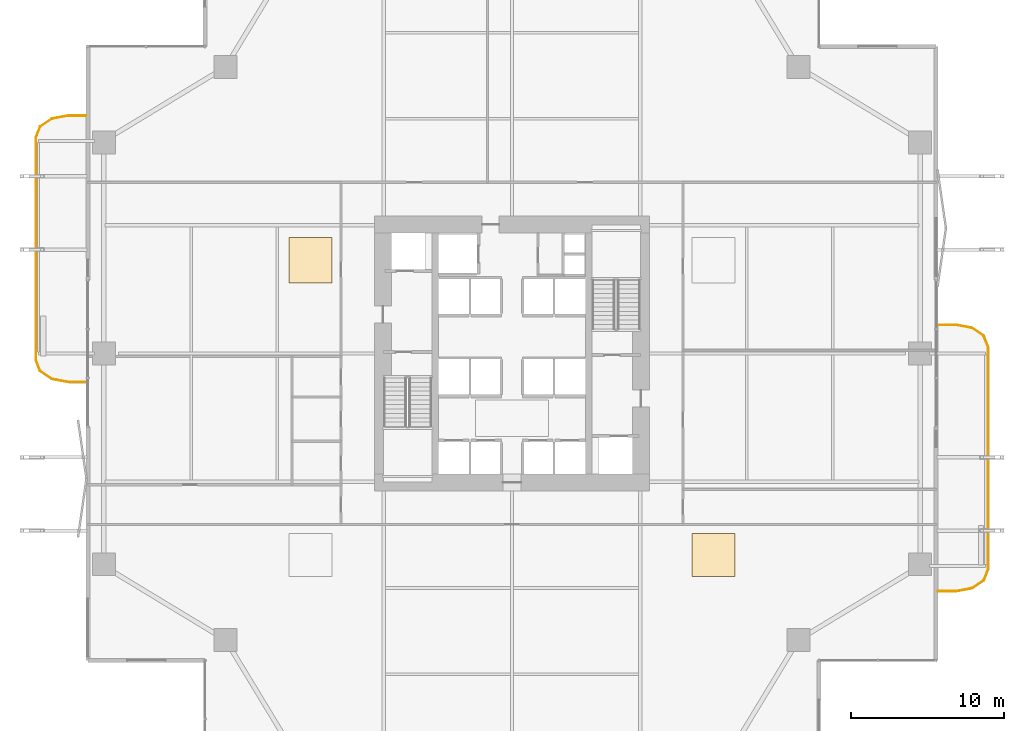
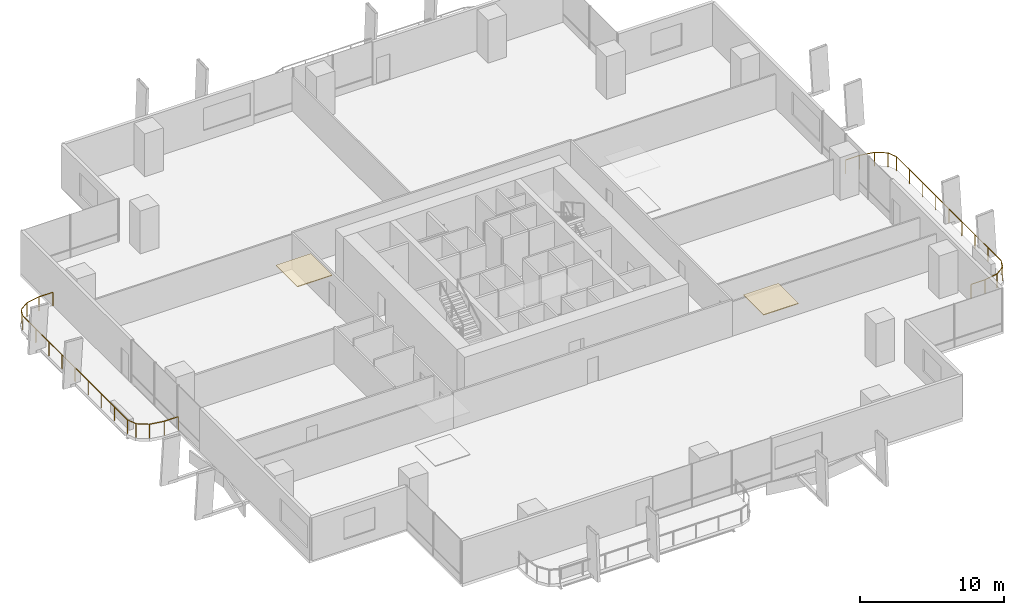
# One storey, part 29 of 30: 2 coverings, 2 railings.
"""IFC4 building model written with IfcOpenShell, lengths in metres."""

from ifc_helpers import new_model, si_unit, direction, frame, origin, origin_2d, place, context, subcontext, project, spatial, polyline, rectangle, outline, extrude, material, layer, layer_set, type_object, element, save


model = new_model("IFC4")

# Units and contexts
model_context = context("Model", 3, precision=1e-05, world=origin(), true_north=direction((0.0, 1.0)))
body_context = subcontext(model_context, "Body", "Model", "MODEL_VIEW")
ifc_project = project(units=[si_unit("LENGTHUNIT", "METRE"), si_unit("AREAUNIT", "SQUARE_METRE"), si_unit("VOLUMEUNIT", "CUBIC_METRE"), si_unit("PLANEANGLEUNIT", "RADIAN"), si_unit("MASSUNIT", "GRAM", prefix="KILO")], contexts=[model_context])

# Site, building, storey
site_placement = place(None, origin())
site = spatial("IfcSite", under=ifc_project, at=site_placement, CompositionType="ELEMENT")
building_placement = place(site_placement, origin())
building = spatial("IfcBuilding", under=site, at=building_placement, Name="Belovzor Exchange Tower", CompositionType="ELEMENT")
storey_placement = place(building_placement, frame((0.0, 0.0, 30.0)))
storey = spatial("IfcBuildingStorey", under=building, at=storey_placement, Name="L06", CompositionType="ELEMENT", Elevation=30.0)

# Railings
ifc_material_1 = material(Name="Stainless Steel and Laminated Safety Glass", Category="steel")
railing_type = type_object("IfcRailingType", Name="Laminated Glass & Stainless Steel Balcony Balustrade 1200", PredefinedType="BALUSTRADE", material=ifc_material_1)
railing_1_placement = place(storey_placement, frame((56.7099609375, 13.22998046875, 0.0)))
element("IfcRailing", 1, at=railing_1_placement, inside=storey, type_object=railing_type, Name="GR-1 Balcony Balustrade L06 East", PredefinedType="BALUSTRADE", context=body_context, shape_type="SweptSolid", body=[
    extrude(rectangle(XDim=0.048095703125, YDim=0.048095703125, at=origin_2d()), frame((0.0, 0.0, 1.17578125), z_axis=(1.0, 0.0, 0.0), x_axis=(0.0, 1.0, 0.0)), (0.0, 0.0, 1.0), 1.133056640625),
    extrude(rectangle(XDim=0.048095703125, YDim=0.048095703125, at=origin_2d()), frame((1.133056640625, 0.0, 1.17578125), z_axis=(0.983644145941, 0.180122719713, 0.0), x_axis=(-0.180122719713, 0.983644145941, 0.0)), (0.0, 0.0, 1.0), 1.09375),
    extrude(rectangle(XDim=0.048095703125, YDim=0.048095703125, at=origin_2d()), frame((2.208984375, 0.197021484375, 1.17578125), z_axis=(0.826614792125, 0.562768145367, 0.0), x_axis=(-0.562768145367, 0.826614792125, 0.0)), (0.0, 0.0, 1.0), 0.9326171875),
    extrude(rectangle(XDim=0.048095703125, YDim=0.048095703125, at=origin_2d()), frame((2.97998046875, 0.721923828125, 1.17578125), z_axis=(0.365504480807, 0.930809580156, 0.0), x_axis=(-0.930809580156, 0.365504480807, 0.0)), (0.0, 0.0, 1.0), 0.76611328125),
    extrude(rectangle(XDim=0.048095703125, YDim=0.048095703125, at=origin_2d()), frame((3.260009765625, 1.43505859375, 1.17578125), z_axis=(0.0, 1.0, 0.0), x_axis=(-1.0, 0.0, 0.0)), (0.0, 0.0, 1.0), 14.570068359375),
    extrude(rectangle(XDim=0.048095703125, YDim=0.048095703125, at=origin_2d()), frame((3.260009765625, 16.005126953125, 1.17578125), z_axis=(-0.365612923861, 0.930766990125, 0.0), x_axis=(-0.930766990125, -0.365612923861, 0.0)), (0.0, 0.0, 1.0), 0.765869140625),
    extrude(rectangle(XDim=0.048095703125, YDim=0.048095703125, at=origin_2d()), frame((2.97998046875, 16.718017578125, 1.17578125), z_axis=(-0.826614792125, 0.562768145367, 0.0), x_axis=(-0.562768145367, -0.826614792125, 0.0)), (0.0, 0.0, 1.0), 0.9326171875),
    extrude(rectangle(XDim=0.048095703125, YDim=0.048095703125, at=origin_2d()), frame((2.208984375, 17.242919921875, 1.17578125), z_axis=(-0.983644145941, 0.180122719713, 0.0), x_axis=(-0.180122719713, -0.983644145941, 0.0)), (0.0, 0.0, 1.0), 1.09375),
    extrude(rectangle(XDim=0.048095703125, YDim=0.048095703125, at=origin_2d()), frame((1.133056640625, 17.43994140625, 1.17578125), z_axis=(-1.0, 0.0, 0.0), x_axis=(0.0, -1.0, 0.0)), (0.0, 0.0, 1.0), 1.133056640625),
    extrude(rectangle(XDim=0.0419921875, YDim=0.0419921875, at=origin_2d()), origin(), (0.0, 0.0, 1.0), 1.15185546875),
    extrude(rectangle(XDim=0.0419921875, YDim=0.0419921875, at=origin_2d()), frame((1.133056640625, 0.0, 0.0)), (0.0, 0.0, 1.0), 1.15185546875),
    extrude(rectangle(XDim=0.0419921875, YDim=0.0419921875, at=origin_2d()), frame((2.208984375, 0.197021484375, 0.0)), (0.0, 0.0, 1.0), 1.15185546875),
    extrude(rectangle(XDim=0.0419921875, YDim=0.0419921875, at=origin_2d()), frame((2.97998046875, 0.721923828125, 0.0)), (0.0, 0.0, 1.0), 1.15185546875),
    extrude(rectangle(XDim=0.0419921875, YDim=0.0419921875, at=origin_2d()), frame((3.260009765625, 1.43505859375, 0.0)), (0.0, 0.0, 1.0), 1.15185546875),
    extrude(rectangle(XDim=0.0419921875, YDim=0.0419921875, at=origin_2d()), frame((3.260009765625, 3.25634765625, 0.0)), (0.0, 0.0, 1.0), 1.15185546875),
    extrude(rectangle(XDim=0.0419921875, YDim=0.0419921875, at=origin_2d()), frame((3.260009765625, 5.07763671875, 0.0)), (0.0, 0.0, 1.0), 1.15185546875),
    extrude(rectangle(XDim=0.0419921875, YDim=0.0419921875, at=origin_2d()), frame((3.260009765625, 6.89892578125, 0.0)), (0.0, 0.0, 1.0), 1.15185546875),
    extrude(rectangle(XDim=0.0419921875, YDim=0.0419921875, at=origin_2d()), frame((3.260009765625, 8.72021484375, 0.0)), (0.0, 0.0, 1.0), 1.15185546875),
    extrude(rectangle(XDim=0.0419921875, YDim=0.0419921875, at=origin_2d()), frame((3.260009765625, 10.541259765625, 0.0)), (0.0, 0.0, 1.0), 1.15185546875),
    extrude(rectangle(XDim=0.0419921875, YDim=0.0419921875, at=origin_2d()), frame((3.260009765625, 12.362548828125, 0.0)), (0.0, 0.0, 1.0), 1.15185546875),
    extrude(rectangle(XDim=0.0419921875, YDim=0.0419921875, at=origin_2d()), frame((3.260009765625, 14.183837890625, 0.0)), (0.0, 0.0, 1.0), 1.15185546875),
    extrude(rectangle(XDim=0.0419921875, YDim=0.0419921875, at=origin_2d()), frame((3.260009765625, 16.005126953125, 0.0)), (0.0, 0.0, 1.0), 1.15185546875),
    extrude(rectangle(XDim=0.0419921875, YDim=0.0419921875, at=origin_2d()), frame((2.97998046875, 16.718017578125, 0.0)), (0.0, 0.0, 1.0), 1.15185546875),
    extrude(rectangle(XDim=0.0419921875, YDim=0.0419921875, at=origin_2d()), frame((2.208984375, 17.242919921875, 0.0)), (0.0, 0.0, 1.0), 1.15185546875),
    extrude(rectangle(XDim=0.0419921875, YDim=0.0419921875, at=origin_2d()), frame((1.133056640625, 17.43994140625, 0.0)), (0.0, 0.0, 1.0), 1.15185546875),
    extrude(rectangle(XDim=0.0419921875, YDim=0.0419921875, at=origin_2d()), frame((0.0, 17.43994140625, 0.0)), (0.0, 0.0, 1.0), 1.15185546875),
])
railing_2_placement = place(storey_placement, frame((0.889892578125, 44.3701171875, 0.0)))
element("IfcRailing", 2, at=railing_2_placement, inside=storey, type_object=railing_type, Name="GR-1 Balcony Balustrade L06 West", PredefinedType="BALUSTRADE", context=body_context, shape_type="SweptSolid", body=[
    extrude(rectangle(XDim=0.048095703125, YDim=0.048095703125, at=origin_2d()), frame((0.0, 0.0, 1.17578125), z_axis=(-1.0, 0.0, 0.0), x_axis=(0.0, -1.0, 0.0)), (0.0, 0.0, 1.0), 1.1328125),
    extrude(rectangle(XDim=0.048095703125, YDim=0.048095703125, at=origin_2d()), frame((-1.1328125, 0.0, 1.17578125), z_axis=(-0.983651385113, -0.180083182347, 0.0), x_axis=(0.180083182347, -0.983651385113, 0.0)), (0.0, 0.0, 1.0), 1.093994140625),
    extrude(rectangle(XDim=0.048095703125, YDim=0.048095703125, at=origin_2d()), frame((-2.208984375, -0.197021484375, 1.17578125), z_axis=(-0.826493025367, -0.56294695933, 0.0), x_axis=(0.56294695933, -0.826493025367, 0.0)), (0.0, 0.0, 1.0), 0.932861328125),
    extrude(rectangle(XDim=0.048095703125, YDim=0.048095703125, at=origin_2d()), frame((-2.97998046875, -0.72216796875, 1.17578125), z_axis=(-0.365612923861, -0.930766990125, 0.0), x_axis=(0.930766990125, -0.365612923861, 0.0)), (0.0, 0.0, 1.0), 0.765869140625),
    extrude(rectangle(XDim=0.048095703125, YDim=0.048095703125, at=origin_2d()), frame((-3.260009765625, -1.43505859375, 1.17578125), z_axis=(0.0, -1.0, 0.0), x_axis=(1.0, 0.0, 0.0)), (0.0, 0.0, 1.0), 14.570068359375),
    extrude(rectangle(XDim=0.048095703125, YDim=0.048095703125, at=origin_2d()), frame((-3.260009765625, -16.005126953125, 1.17578125), z_axis=(0.365612923861, -0.930766990125, 0.0), x_axis=(0.930766990125, 0.365612923861, 0.0)), (0.0, 0.0, 1.0), 0.765869140625),
    extrude(rectangle(XDim=0.048095703125, YDim=0.048095703125, at=origin_2d()), frame((-2.97998046875, -16.718017578125, 1.17578125), z_axis=(0.826493025367, -0.56294695933, 0.0), x_axis=(0.56294695933, 0.826493025367, 0.0)), (0.0, 0.0, 1.0), 0.932861328125),
    extrude(rectangle(XDim=0.048095703125, YDim=0.048095703125, at=origin_2d()), frame((-2.208984375, -17.2431640625, 1.17578125), z_axis=(0.983651385113, -0.180083182347, 0.0), x_axis=(0.180083182347, 0.983651385113, 0.0)), (0.0, 0.0, 1.0), 1.093994140625),
    extrude(rectangle(XDim=0.048095703125, YDim=0.048095703125, at=origin_2d()), frame((-1.1328125, -17.440185546875, 1.17578125), z_axis=(1.0, 0.0, 0.0), x_axis=(0.0, 1.0, 0.0)), (0.0, 0.0, 1.0), 1.1328125),
    extrude(rectangle(XDim=0.0419921875, YDim=0.0419921875, at=origin_2d()), origin(), (0.0, 0.0, 1.0), 1.15185546875),
    extrude(rectangle(XDim=0.0419921875, YDim=0.0419921875, at=origin_2d()), frame((-1.1328125, 0.0, 0.0)), (0.0, 0.0, 1.0), 1.15185546875),
    extrude(rectangle(XDim=0.0419921875, YDim=0.0419921875, at=origin_2d()), frame((-2.208984375, -0.197021484375, 0.0)), (0.0, 0.0, 1.0), 1.15185546875),
    extrude(rectangle(XDim=0.0419921875, YDim=0.0419921875, at=origin_2d()), frame((-2.97998046875, -0.72216796875, 0.0)), (0.0, 0.0, 1.0), 1.15185546875),
    extrude(rectangle(XDim=0.0419921875, YDim=0.0419921875, at=origin_2d()), frame((-3.260009765625, -1.43505859375, 0.0)), (0.0, 0.0, 1.0), 1.15185546875),
    extrude(rectangle(XDim=0.0419921875, YDim=0.0419921875, at=origin_2d()), frame((-3.260009765625, -3.25634765625, 0.0)), (0.0, 0.0, 1.0), 1.15185546875),
    extrude(rectangle(XDim=0.0419921875, YDim=0.0419921875, at=origin_2d()), frame((-3.260009765625, -5.07763671875, 0.0)), (0.0, 0.0, 1.0), 1.15185546875),
    extrude(rectangle(XDim=0.0419921875, YDim=0.0419921875, at=origin_2d()), frame((-3.260009765625, -6.89892578125, 0.0)), (0.0, 0.0, 1.0), 1.15185546875),
    extrude(rectangle(XDim=0.0419921875, YDim=0.0419921875, at=origin_2d()), frame((-3.260009765625, -8.72021484375, 0.0)), (0.0, 0.0, 1.0), 1.15185546875),
    extrude(rectangle(XDim=0.0419921875, YDim=0.0419921875, at=origin_2d()), frame((-3.260009765625, -10.541259765625, 0.0)), (0.0, 0.0, 1.0), 1.15185546875),
    extrude(rectangle(XDim=0.0419921875, YDim=0.0419921875, at=origin_2d()), frame((-3.260009765625, -12.362548828125, 0.0)), (0.0, 0.0, 1.0), 1.15185546875),
    extrude(rectangle(XDim=0.0419921875, YDim=0.0419921875, at=origin_2d()), frame((-3.260009765625, -14.183837890625, 0.0)), (0.0, 0.0, 1.0), 1.15185546875),
    extrude(rectangle(XDim=0.0419921875, YDim=0.0419921875, at=origin_2d()), frame((-3.260009765625, -16.005126953125, 0.0)), (0.0, 0.0, 1.0), 1.15185546875),
    extrude(rectangle(XDim=0.0419921875, YDim=0.0419921875, at=origin_2d()), frame((-2.97998046875, -16.718017578125, 0.0)), (0.0, 0.0, 1.0), 1.15185546875),
    extrude(rectangle(XDim=0.0419921875, YDim=0.0419921875, at=origin_2d()), frame((-2.208984375, -17.2431640625, 0.0)), (0.0, 0.0, 1.0), 1.15185546875),
    extrude(rectangle(XDim=0.0419921875, YDim=0.0419921875, at=origin_2d()), frame((-1.1328125, -17.440185546875, 0.0)), (0.0, 0.0, 1.0), 1.15185546875),
    extrude(rectangle(XDim=0.0419921875, YDim=0.0419921875, at=origin_2d()), frame((0.0, -17.440185546875, 0.0)), (0.0, 0.0, 1.0), 1.15185546875),
])

# Coverings
ifc_material_2 = material(Name="Perforated Powder-Coated Aluminium", Category="aluminium")
ifc_layer = layer(ifc_material_2, 0.06005859375)
ifc_layer_set = layer_set([ifc_layer], Name="Perforated Powder-Coated Aluminium")
covering_type = type_object("IfcCoveringType", Name="Perforated Acoustic Metal Tile Suspended Ceiling 60", PredefinedType="CEILING", material=ifc_layer_set)
covering_1_placement = place(storey_placement, frame((0.0, 0.0, 3.590087890625)))
element("IfcCovering", 3, at=covering_1_placement, inside=storey, type_object=covering_type, Name="CLG-AC60 Suspended Ceiling CLG-L06-Z1", PredefinedType="CEILING", context=body_context, shape_type="SweptSolid", body=[
    extrude(outline(polyline([(40.60009765625, 14.199951171875), (43.39990234375, 14.199951171875), (43.39990234375, 17.0), (40.60009765625, 17.0), (40.60009765625, 14.199951171875)])), origin(), (0.0, 0.0, 1.0), 0.059814453125),
])
covering_2_placement = place(storey_placement, frame((0.0, 0.0, 3.590087890625)))
element("IfcCovering", 4, at=covering_2_placement, inside=storey, type_object=covering_type, Name="CLG-AC60 Suspended Ceiling CLG-L06-Z3", PredefinedType="CEILING", context=body_context, shape_type="SweptSolid", body=[
    extrude(outline(polyline([(14.199951171875, 33.39990234375), (17.0, 33.39990234375), (17.0, 36.39990234375), (14.199951171875, 36.39990234375), (14.199951171875, 33.39990234375)])), origin(), (0.0, 0.0, 1.0), 0.059814453125),
])

save(model, "model.ifc")
